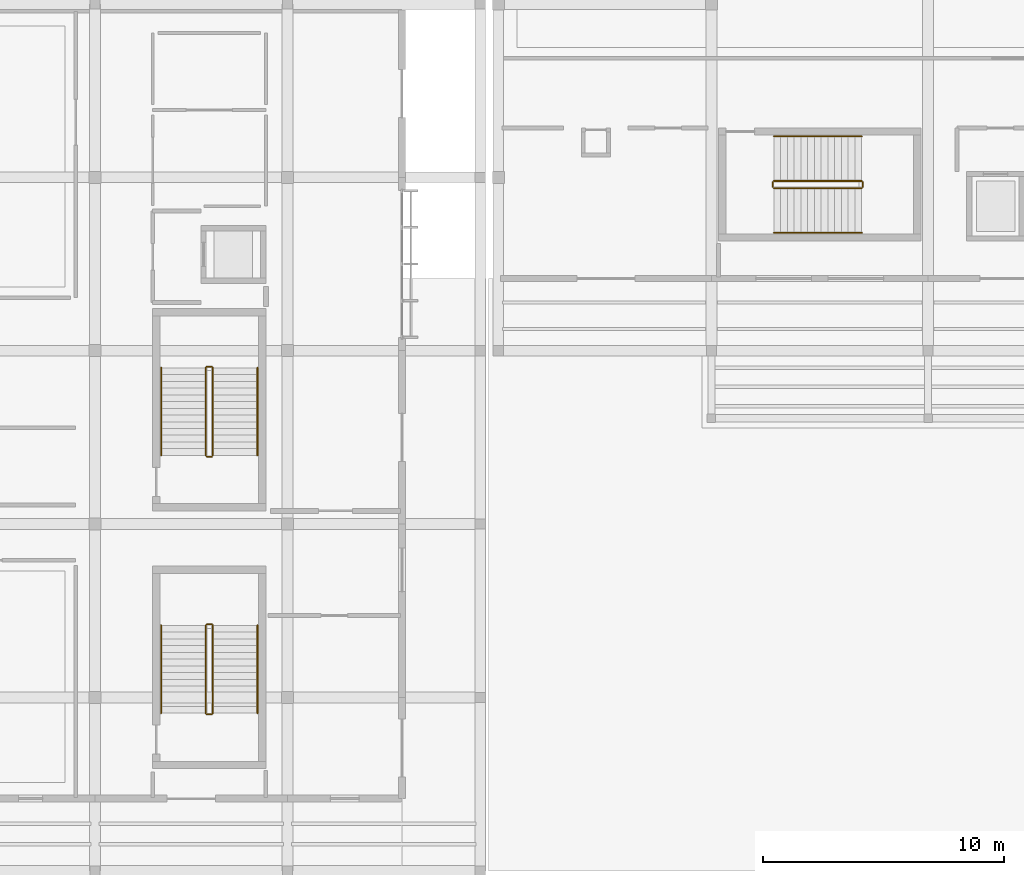
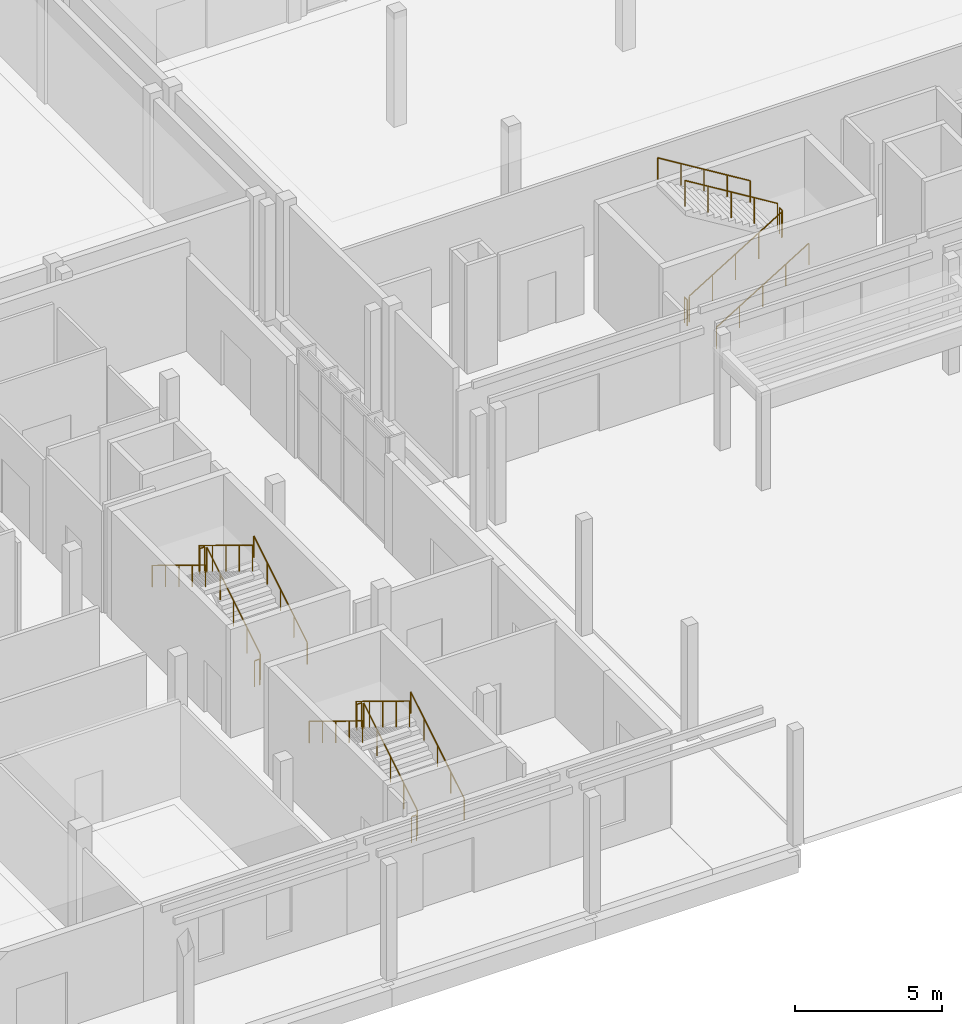
# One storey, part 135 of 151: 18 railings.
"""IFC4 building model written with IfcOpenShell, lengths in metres."""

from ifc_helpers import new_model, si_unit, direction, frame, origin, origin_2d, place, context, subcontext, project, spatial, circle, extrude, material, layer, layer_set, type_object, element, save


model = new_model("IFC4")

# Units and contexts
model_context = context("Model", 3, precision=1e-05, world=origin(), true_north=direction((0.0, 1.0)))
body_context = subcontext(model_context, "Body", "Model", "MODEL_VIEW")
ifc_project = project(units=[si_unit("LENGTHUNIT", "METRE"), si_unit("AREAUNIT", "SQUARE_METRE"), si_unit("VOLUMEUNIT", "CUBIC_METRE"), si_unit("PLANEANGLEUNIT", "RADIAN"), si_unit("MASSUNIT", "GRAM", prefix="KILO")], contexts=[model_context])

# Site, building, storey
site_placement = place(None, origin())
site = spatial("IfcSite", under=ifc_project, at=site_placement, CompositionType="ELEMENT")
building_placement = place(site_placement, origin())
building = spatial("IfcBuilding", under=site, at=building_placement, Name="Chiffa Square Polytechnic", CompositionType="ELEMENT")
storey_placement = place(building_placement, origin())
storey = spatial("IfcBuildingStorey", under=building, at=storey_placement, Name="L00", CompositionType="ELEMENT", Elevation=0.0)

# Railings
ifc_material = material(Name="Steel S355", Category="steel")
ifc_layer_1 = layer(ifc_material, 0.050048828125, Name="Steel S355")
ifc_layer_set_1 = layer_set([ifc_layer_1], Name="Steel S355")
railing_type_1 = type_object("IfcRailingType", Name="RL-STAIR-GUARD", PredefinedType="GUARDRAIL", material=ifc_layer_set_1)
railing_1_placement = place(storey_placement, frame((36.89990234375, 6.550048828125, 0.17138671875)))
element("IfcRailing", 1, at=railing_1_placement, inside=storey, type_object=railing_type_1, Name="L00 ST-V3A stair guard 1", PredefinedType="GUARDRAIL", context=body_context, shape_type="SweptSolid", body=[
    extrude(circle(Radius=0.02392578125, at=origin_2d()), frame((0.0, 0.0, 1.076171875), z_axis=(0.0, 0.852850264322, 0.5221555579), x_axis=(-1.0, 0.0, 0.0)), (0.0, 0.0, 1.0), 4.267822265625),
    extrude(circle(Radius=0.02099609375, at=origin_2d()), origin(), (0.0, 0.0, 1.0), 1.052001953125),
    extrude(circle(Radius=0.02099609375, at=origin_2d()), frame((0.0, 0.909912109375, 0.55712890625)), (0.0, 0.0, 1.0), 1.052001953125),
    extrude(circle(Radius=0.02099609375, at=origin_2d()), frame((0.0, 1.81982421875, 1.1142578125)), (0.0, 0.0, 1.0), 1.052001953125),
    extrude(circle(Radius=0.02099609375, at=origin_2d()), frame((0.0, 2.72998046875, 1.67138671875)), (0.0, 0.0, 1.0), 1.052001953125),
    extrude(circle(Radius=0.02099609375, at=origin_2d()), frame((0.0, 3.639892578125, 2.228515625)), (0.0, 0.0, 1.0), 1.052001953125),
])
railing_2_placement = place(storey_placement, frame((36.85009765625, 10.239990234375, 2.39990234375)))
element("IfcRailing", 2, at=railing_2_placement, inside=storey, type_object=railing_type_1, Name="L00 ST-V3A stair guard 2", PredefinedType="GUARDRAIL", context=body_context, shape_type="SweptSolid", body=[
    extrude(circle(Radius=0.02392578125, at=origin_2d()), frame((0.0, 0.0, 1.076171875), z_axis=(-1.0, 0.0, 0.0), x_axis=(0.0, -1.0, 0.0)), (0.0, 0.0, 1.0), 0.2001953125),
    extrude(circle(Radius=0.02099609375, at=origin_2d()), origin(), (0.0, 0.0, 1.0), 1.052001953125),
    extrude(circle(Radius=0.02099609375, at=origin_2d()), frame((-0.2001953125, 0.0, 0.0)), (0.0, 0.0, 1.0), 1.052001953125),
])
railing_3_placement = place(storey_placement, frame((36.60009765625, 10.18994140625, 2.571533203125)))
element("IfcRailing", 3, at=railing_3_placement, inside=storey, type_object=railing_type_1, Name="L00 ST-V3A stair guard 3", PredefinedType="GUARDRAIL", context=body_context, shape_type="SweptSolid", body=[
    extrude(circle(Radius=0.02392578125, at=origin_2d()), frame((0.0, 0.0, 1.076171875), z_axis=(0.0, -0.852850264322, 0.5221555579), x_axis=(1.0, 0.0, 0.0)), (0.0, 0.0, 1.0), 4.267822265625),
    extrude(circle(Radius=0.02099609375, at=origin_2d()), origin(), (0.0, 0.0, 1.0), 1.052001953125),
    extrude(circle(Radius=0.02099609375, at=origin_2d()), frame((0.0, -0.909912109375, 0.55712890625)), (0.0, 0.0, 1.0), 1.052001953125),
    extrude(circle(Radius=0.02099609375, at=origin_2d()), frame((0.0, -1.81982421875, 1.1142578125)), (0.0, 0.0, 1.0), 1.052001953125),
    extrude(circle(Radius=0.02099609375, at=origin_2d()), frame((0.0, -2.72998046875, 1.67138671875)), (0.0, 0.0, 1.0), 1.052001953125),
    extrude(circle(Radius=0.02099609375, at=origin_2d()), frame((0.0, -3.639892578125, 2.228515625)), (0.0, 0.0, 1.0), 1.052001953125),
])
railing_4_placement = place(storey_placement, frame((36.85009765625, 6.5, 0.0)))
element("IfcRailing", 4, at=railing_4_placement, inside=storey, type_object=railing_type_1, Name="L00 ST-V3A stair guard 4", PredefinedType="GUARDRAIL", context=body_context, shape_type="SweptSolid", body=[
    extrude(circle(Radius=0.02392578125, at=origin_2d()), frame((0.0, 0.0, 1.076171875), z_axis=(-1.0, 0.0, 0.0), x_axis=(0.0, -1.0, 0.0)), (0.0, 0.0, 1.0), 0.2001953125),
    extrude(circle(Radius=0.02099609375, at=origin_2d()), origin(), (0.0, 0.0, 1.0), 1.052001953125),
    extrude(circle(Radius=0.02099609375, at=origin_2d()), frame((-0.2001953125, 0.0, 0.0)), (0.0, 0.0, 1.0), 1.052001953125),
])
railing_5_placement = place(storey_placement, frame((36.89990234375, 17.25, 0.17138671875)))
element("IfcRailing", 5, at=railing_5_placement, inside=storey, type_object=railing_type_1, Name="L00 ST-V3B stair guard 1", PredefinedType="GUARDRAIL", context=body_context, shape_type="SweptSolid", body=[
    extrude(circle(Radius=0.02392578125, at=origin_2d()), frame((0.0, 0.0, 1.076171875), z_axis=(0.0, 0.852850264322, 0.5221555579), x_axis=(-1.0, 0.0, 0.0)), (0.0, 0.0, 1.0), 4.267822265625),
    extrude(circle(Radius=0.02099609375, at=origin_2d()), origin(), (0.0, 0.0, 1.0), 1.052001953125),
    extrude(circle(Radius=0.02099609375, at=origin_2d()), frame((0.0, 0.909912109375, 0.55712890625)), (0.0, 0.0, 1.0), 1.052001953125),
    extrude(circle(Radius=0.02099609375, at=origin_2d()), frame((0.0, 1.81982421875, 1.1142578125)), (0.0, 0.0, 1.0), 1.052001953125),
    extrude(circle(Radius=0.02099609375, at=origin_2d()), frame((0.0, 2.72998046875, 1.67138671875)), (0.0, 0.0, 1.0), 1.052001953125),
    extrude(circle(Radius=0.02099609375, at=origin_2d()), frame((0.0, 3.639892578125, 2.228515625)), (0.0, 0.0, 1.0), 1.052001953125),
])
railing_6_placement = place(storey_placement, frame((36.85009765625, 20.93994140625, 2.39990234375)))
element("IfcRailing", 6, at=railing_6_placement, inside=storey, type_object=railing_type_1, Name="L00 ST-V3B stair guard 2", PredefinedType="GUARDRAIL", context=body_context, shape_type="SweptSolid", body=[
    extrude(circle(Radius=0.02392578125, at=origin_2d()), frame((0.0, 0.0, 1.076171875), z_axis=(-1.0, 0.0, 0.0), x_axis=(0.0, -1.0, 0.0)), (0.0, 0.0, 1.0), 0.2001953125),
    extrude(circle(Radius=0.02099609375, at=origin_2d()), origin(), (0.0, 0.0, 1.0), 1.052001953125),
    extrude(circle(Radius=0.02099609375, at=origin_2d()), frame((-0.2001953125, 0.0, 0.0)), (0.0, 0.0, 1.0), 1.052001953125),
])
railing_7_placement = place(storey_placement, frame((36.60009765625, 20.889892578125, 2.571533203125)))
element("IfcRailing", 7, at=railing_7_placement, inside=storey, type_object=railing_type_1, Name="L00 ST-V3B stair guard 3", PredefinedType="GUARDRAIL", context=body_context, shape_type="SweptSolid", body=[
    extrude(circle(Radius=0.02392578125, at=origin_2d()), frame((0.0, 0.0, 1.076171875), z_axis=(0.0, -0.852850264322, 0.5221555579), x_axis=(1.0, 0.0, 0.0)), (0.0, 0.0, 1.0), 4.267822265625),
    extrude(circle(Radius=0.02099609375, at=origin_2d()), origin(), (0.0, 0.0, 1.0), 1.052001953125),
    extrude(circle(Radius=0.02099609375, at=origin_2d()), frame((0.0, -0.909912109375, 0.55712890625)), (0.0, 0.0, 1.0), 1.052001953125),
    extrude(circle(Radius=0.02099609375, at=origin_2d()), frame((0.0, -1.81982421875, 1.1142578125)), (0.0, 0.0, 1.0), 1.052001953125),
    extrude(circle(Radius=0.02099609375, at=origin_2d()), frame((0.0, -2.72998046875, 1.67138671875)), (0.0, 0.0, 1.0), 1.052001953125),
    extrude(circle(Radius=0.02099609375, at=origin_2d()), frame((0.0, -3.639892578125, 2.228515625)), (0.0, 0.0, 1.0), 1.052001953125),
])
railing_8_placement = place(storey_placement, frame((36.85009765625, 17.199951171875, 0.0)))
element("IfcRailing", 8, at=railing_8_placement, inside=storey, type_object=railing_type_1, Name="L00 ST-V3B stair guard 4", PredefinedType="GUARDRAIL", context=body_context, shape_type="SweptSolid", body=[
    extrude(circle(Radius=0.02392578125, at=origin_2d()), frame((0.0, 0.0, 1.076171875), z_axis=(-1.0, 0.0, 0.0), x_axis=(0.0, -1.0, 0.0)), (0.0, 0.0, 1.0), 0.2001953125),
    extrude(circle(Radius=0.02099609375, at=origin_2d()), origin(), (0.0, 0.0, 1.0), 1.052001953125),
    extrude(circle(Radius=0.02099609375, at=origin_2d()), frame((-0.2001953125, 0.0, 0.0)), (0.0, 0.0, 1.0), 1.052001953125),
])
railing_9_placement = place(storey_placement, frame((60.199951171875, 28.35009765625, 0.17138671875)))
element("IfcRailing", 9, at=railing_9_placement, inside=storey, type_object=railing_type_1, Name="L00 ST-V4A stair guard 1", PredefinedType="GUARDRAIL", context=body_context, shape_type="SweptSolid", body=[
    extrude(circle(Radius=0.02392578125, at=origin_2d()), frame((0.0, 0.0, 1.076171875), z_axis=(0.852865859571, 0.0, 0.52213008492), x_axis=(0.0, 1.0, 0.0)), (0.0, 0.0, 1.0), 4.26806640625),
    extrude(circle(Radius=0.02099609375, at=origin_2d()), origin(), (0.0, 0.0, 1.0), 1.052001953125),
    extrude(circle(Radius=0.02099609375, at=origin_2d()), frame((0.91015625, 0.0, 0.55712890625)), (0.0, 0.0, 1.0), 1.052001953125),
    extrude(circle(Radius=0.02099609375, at=origin_2d()), frame((1.820068359375, 0.0, 1.1142578125)), (0.0, 0.0, 1.0), 1.052001953125),
    extrude(circle(Radius=0.02099609375, at=origin_2d()), frame((2.72998046875, 0.0, 1.67138671875)), (0.0, 0.0, 1.0), 1.052001953125),
    extrude(circle(Radius=0.02099609375, at=origin_2d()), frame((3.64013671875, 0.0, 2.228515625)), (0.0, 0.0, 1.0), 1.052001953125),
])
railing_10_placement = place(storey_placement, frame((63.889892578125, 28.39990234375, 2.39990234375)))
element("IfcRailing", 10, at=railing_10_placement, inside=storey, type_object=railing_type_1, Name="L00 ST-V4A stair guard 2", PredefinedType="GUARDRAIL", context=body_context, shape_type="SweptSolid", body=[
    extrude(circle(Radius=0.02392578125, at=origin_2d()), frame((0.0, 0.0, 1.076171875), z_axis=(0.0, 1.0, 0.0), x_axis=(-1.0, 0.0, 0.0)), (0.0, 0.0, 1.0), 0.2001953125),
    extrude(circle(Radius=0.02099609375, at=origin_2d()), origin(), (0.0, 0.0, 1.0), 1.052001953125),
    extrude(circle(Radius=0.02099609375, at=origin_2d()), frame((0.0, 0.2001953125, 0.0)), (0.0, 0.0, 1.0), 1.052001953125),
])
railing_11_placement = place(storey_placement, frame((63.840087890625, 28.64990234375, 2.571533203125)))
element("IfcRailing", 11, at=railing_11_placement, inside=storey, type_object=railing_type_1, Name="L00 ST-V4A stair guard 3", PredefinedType="GUARDRAIL", context=body_context, shape_type="SweptSolid", body=[
    extrude(circle(Radius=0.02392578125, at=origin_2d()), frame((0.0, 0.0, 1.076171875), z_axis=(-0.852865859571, 0.0, 0.52213008492), x_axis=(0.0, -1.0, 0.0)), (0.0, 0.0, 1.0), 4.26806640625),
    extrude(circle(Radius=0.02099609375, at=origin_2d()), origin(), (0.0, 0.0, 1.0), 1.052001953125),
    extrude(circle(Radius=0.02099609375, at=origin_2d()), frame((-0.91015625, 0.0, 0.55712890625)), (0.0, 0.0, 1.0), 1.052001953125),
    extrude(circle(Radius=0.02099609375, at=origin_2d()), frame((-1.820068359375, 0.0, 1.1142578125)), (0.0, 0.0, 1.0), 1.052001953125),
    extrude(circle(Radius=0.02099609375, at=origin_2d()), frame((-2.72998046875, 0.0, 1.67138671875)), (0.0, 0.0, 1.0), 1.052001953125),
    extrude(circle(Radius=0.02099609375, at=origin_2d()), frame((-3.64013671875, 0.0, 2.228515625)), (0.0, 0.0, 1.0), 1.052001953125),
])
railing_12_placement = place(storey_placement, frame((60.14990234375, 28.39990234375, 0.0)))
element("IfcRailing", 12, at=railing_12_placement, inside=storey, type_object=railing_type_1, Name="L00 ST-V4A stair guard 4", PredefinedType="GUARDRAIL", context=body_context, shape_type="SweptSolid", body=[
    extrude(circle(Radius=0.02392578125, at=origin_2d()), frame((0.0, 0.0, 1.076171875), z_axis=(0.0, 1.0, 0.0), x_axis=(-1.0, 0.0, 0.0)), (0.0, 0.0, 1.0), 0.2001953125),
    extrude(circle(Radius=0.02099609375, at=origin_2d()), origin(), (0.0, 0.0, 1.0), 1.052001953125),
    extrude(circle(Radius=0.02099609375, at=origin_2d()), frame((0.0, 0.2001953125, 0.0)), (0.0, 0.0, 1.0), 1.052001953125),
])
ifc_layer_2 = layer(ifc_material, 0.044921875, Name="Steel S355")
ifc_layer_set_2 = layer_set([ifc_layer_2], Name="Steel S355")
railing_type_2 = type_object("IfcRailingType", Name="RL-STAIR-HAND", PredefinedType="HANDRAIL", material=ifc_layer_set_2)
railing_13_placement = place(storey_placement, frame((38.75, 6.550048828125, 0.17138671875)))
element("IfcRailing", 13, at=railing_13_placement, inside=storey, type_object=railing_type_2, Name="L00 ST-V3A stair handrail 1", PredefinedType="HANDRAIL", context=body_context, shape_type="SweptSolid", body=[
    extrude(circle(Radius=0.02392578125, at=origin_2d()), frame((0.0, 0.0, 0.89599609375), z_axis=(0.0, 0.852850264322, 0.5221555579), x_axis=(-1.0, 0.0, 0.0)), (0.0, 0.0, 1.0), 4.267822265625),
    extrude(circle(Radius=0.02099609375, at=origin_2d()), origin(), (0.0, 0.0, 1.0), 0.871826171875),
    extrude(circle(Radius=0.02099609375, at=origin_2d()), frame((0.0, 0.909912109375, 0.55712890625)), (0.0, 0.0, 1.0), 0.871826171875),
    extrude(circle(Radius=0.02099609375, at=origin_2d()), frame((0.0, 1.81982421875, 1.1142578125)), (0.0, 0.0, 1.0), 0.871826171875),
    extrude(circle(Radius=0.02099609375, at=origin_2d()), frame((0.0, 2.72998046875, 1.67138671875)), (0.0, 0.0, 1.0), 0.871826171875),
    extrude(circle(Radius=0.02099609375, at=origin_2d()), frame((0.0, 3.639892578125, 2.228515625)), (0.0, 0.0, 1.0), 0.871826171875),
])
railing_14_placement = place(storey_placement, frame((34.75, 10.18994140625, 2.571533203125)))
element("IfcRailing", 14, at=railing_14_placement, inside=storey, type_object=railing_type_2, Name="L00 ST-V3A stair handrail 2", PredefinedType="HANDRAIL", context=body_context, shape_type="SweptSolid", body=[
    extrude(circle(Radius=0.02392578125, at=origin_2d()), frame((0.0, 0.0, 0.89599609375), z_axis=(0.0, -0.852850264322, 0.5221555579), x_axis=(1.0, 0.0, 0.0)), (0.0, 0.0, 1.0), 4.267822265625),
    extrude(circle(Radius=0.02099609375, at=origin_2d()), origin(), (0.0, 0.0, 1.0), 0.871826171875),
    extrude(circle(Radius=0.02099609375, at=origin_2d()), frame((0.0, -0.909912109375, 0.55712890625)), (0.0, 0.0, 1.0), 0.871826171875),
    extrude(circle(Radius=0.02099609375, at=origin_2d()), frame((0.0, -1.81982421875, 1.1142578125)), (0.0, 0.0, 1.0), 0.871826171875),
    extrude(circle(Radius=0.02099609375, at=origin_2d()), frame((0.0, -2.72998046875, 1.67138671875)), (0.0, 0.0, 1.0), 0.871826171875),
    extrude(circle(Radius=0.02099609375, at=origin_2d()), frame((0.0, -3.639892578125, 2.228515625)), (0.0, 0.0, 1.0), 0.871826171875),
])
railing_15_placement = place(storey_placement, frame((38.75, 17.25, 0.17138671875)))
element("IfcRailing", 15, at=railing_15_placement, inside=storey, type_object=railing_type_2, Name="L00 ST-V3B stair handrail 1", PredefinedType="HANDRAIL", context=body_context, shape_type="SweptSolid", body=[
    extrude(circle(Radius=0.02392578125, at=origin_2d()), frame((0.0, 0.0, 0.89599609375), z_axis=(0.0, 0.852850264322, 0.5221555579), x_axis=(-1.0, 0.0, 0.0)), (0.0, 0.0, 1.0), 4.267822265625),
    extrude(circle(Radius=0.02099609375, at=origin_2d()), origin(), (0.0, 0.0, 1.0), 0.871826171875),
    extrude(circle(Radius=0.02099609375, at=origin_2d()), frame((0.0, 0.909912109375, 0.55712890625)), (0.0, 0.0, 1.0), 0.871826171875),
    extrude(circle(Radius=0.02099609375, at=origin_2d()), frame((0.0, 1.81982421875, 1.1142578125)), (0.0, 0.0, 1.0), 0.871826171875),
    extrude(circle(Radius=0.02099609375, at=origin_2d()), frame((0.0, 2.72998046875, 1.67138671875)), (0.0, 0.0, 1.0), 0.871826171875),
    extrude(circle(Radius=0.02099609375, at=origin_2d()), frame((0.0, 3.639892578125, 2.228515625)), (0.0, 0.0, 1.0), 0.871826171875),
])
railing_16_placement = place(storey_placement, frame((34.75, 20.889892578125, 2.571533203125)))
element("IfcRailing", 16, at=railing_16_placement, inside=storey, type_object=railing_type_2, Name="L00 ST-V3B stair handrail 2", PredefinedType="HANDRAIL", context=body_context, shape_type="SweptSolid", body=[
    extrude(circle(Radius=0.02392578125, at=origin_2d()), frame((0.0, 0.0, 0.89599609375), z_axis=(0.0, -0.852850264322, 0.5221555579), x_axis=(1.0, 0.0, 0.0)), (0.0, 0.0, 1.0), 4.267822265625),
    extrude(circle(Radius=0.02099609375, at=origin_2d()), origin(), (0.0, 0.0, 1.0), 0.871826171875),
    extrude(circle(Radius=0.02099609375, at=origin_2d()), frame((0.0, -0.909912109375, 0.55712890625)), (0.0, 0.0, 1.0), 0.871826171875),
    extrude(circle(Radius=0.02099609375, at=origin_2d()), frame((0.0, -1.81982421875, 1.1142578125)), (0.0, 0.0, 1.0), 0.871826171875),
    extrude(circle(Radius=0.02099609375, at=origin_2d()), frame((0.0, -2.72998046875, 1.67138671875)), (0.0, 0.0, 1.0), 0.871826171875),
    extrude(circle(Radius=0.02099609375, at=origin_2d()), frame((0.0, -3.639892578125, 2.228515625)), (0.0, 0.0, 1.0), 0.871826171875),
])
railing_17_placement = place(storey_placement, frame((60.199951171875, 26.5, 0.17138671875)))
element("IfcRailing", 17, at=railing_17_placement, inside=storey, type_object=railing_type_2, Name="L00 ST-V4A stair handrail 1", PredefinedType="HANDRAIL", context=body_context, shape_type="SweptSolid", body=[
    extrude(circle(Radius=0.02392578125, at=origin_2d()), frame((0.0, 0.0, 0.89599609375), z_axis=(0.852865859571, 0.0, 0.52213008492), x_axis=(0.0, 1.0, 0.0)), (0.0, 0.0, 1.0), 4.26806640625),
    extrude(circle(Radius=0.02099609375, at=origin_2d()), origin(), (0.0, 0.0, 1.0), 0.871826171875),
    extrude(circle(Radius=0.02099609375, at=origin_2d()), frame((0.91015625, 0.0, 0.55712890625)), (0.0, 0.0, 1.0), 0.871826171875),
    extrude(circle(Radius=0.02099609375, at=origin_2d()), frame((1.820068359375, 0.0, 1.1142578125)), (0.0, 0.0, 1.0), 0.871826171875),
    extrude(circle(Radius=0.02099609375, at=origin_2d()), frame((2.72998046875, 0.0, 1.67138671875)), (0.0, 0.0, 1.0), 0.871826171875),
    extrude(circle(Radius=0.02099609375, at=origin_2d()), frame((3.64013671875, 0.0, 2.228515625)), (0.0, 0.0, 1.0), 0.871826171875),
])
railing_18_placement = place(storey_placement, frame((63.840087890625, 30.5, 2.571533203125)))
element("IfcRailing", 18, at=railing_18_placement, inside=storey, type_object=railing_type_2, Name="L00 ST-V4A stair handrail 2", PredefinedType="HANDRAIL", context=body_context, shape_type="SweptSolid", body=[
    extrude(circle(Radius=0.02392578125, at=origin_2d()), frame((0.0, 0.0, 0.89599609375), z_axis=(-0.852865859571, 0.0, 0.52213008492), x_axis=(0.0, -1.0, 0.0)), (0.0, 0.0, 1.0), 4.26806640625),
    extrude(circle(Radius=0.02099609375, at=origin_2d()), origin(), (0.0, 0.0, 1.0), 0.871826171875),
    extrude(circle(Radius=0.02099609375, at=origin_2d()), frame((-0.91015625, 0.0, 0.55712890625)), (0.0, 0.0, 1.0), 0.871826171875),
    extrude(circle(Radius=0.02099609375, at=origin_2d()), frame((-1.820068359375, 0.0, 1.1142578125)), (0.0, 0.0, 1.0), 0.871826171875),
    extrude(circle(Radius=0.02099609375, at=origin_2d()), frame((-2.72998046875, 0.0, 1.67138671875)), (0.0, 0.0, 1.0), 0.871826171875),
    extrude(circle(Radius=0.02099609375, at=origin_2d()), frame((-3.64013671875, 0.0, 2.228515625)), (0.0, 0.0, 1.0), 0.871826171875),
])

save(model, "model.ifc")
